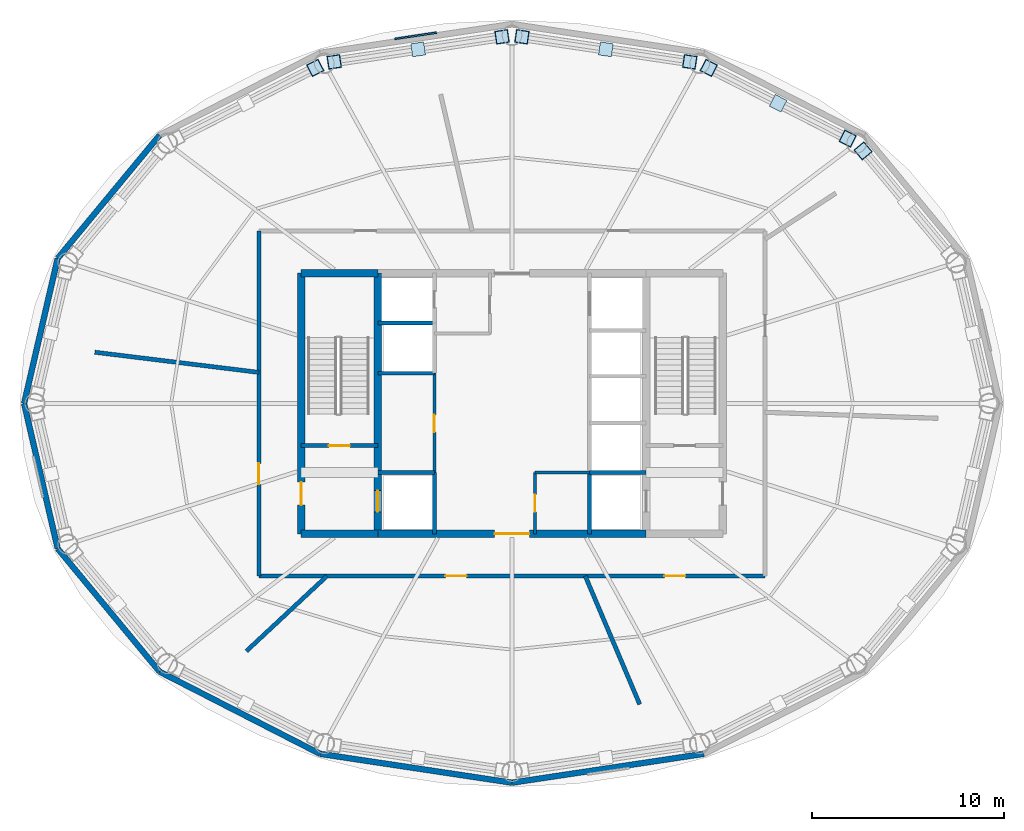
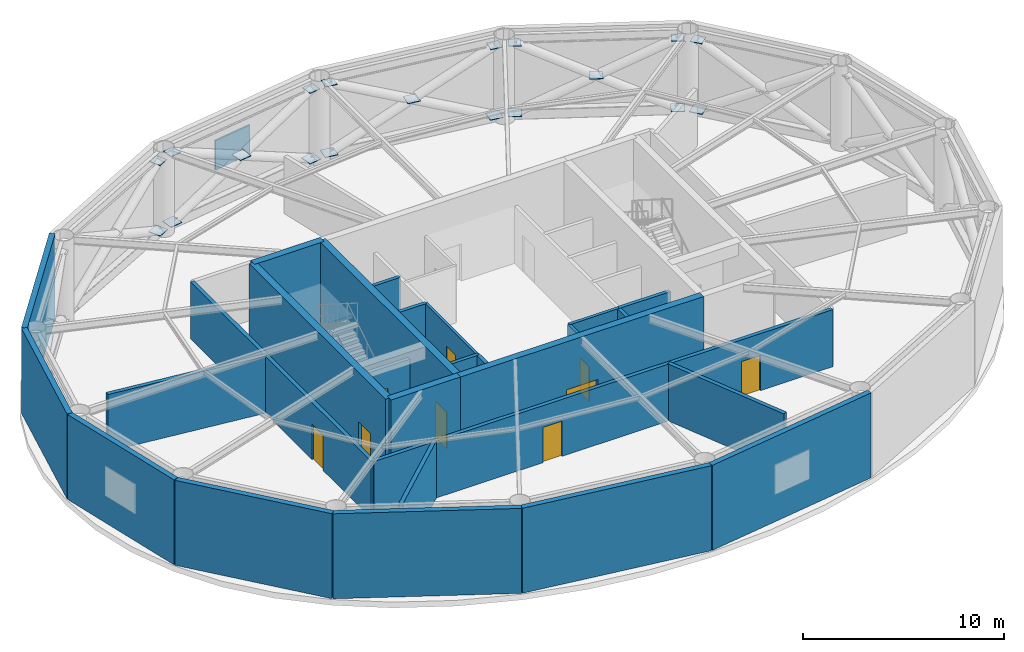
# One storey, part 4 of 7: 27 walls, 20 plates, 9 doors, 9 openings.
"""IFC4 building model written with IfcOpenShell, lengths in metres."""

from ifc_helpers import new_model, si_unit, direction, frame, frame_2d, origin, origin_2d, place, context, subcontext, project, spatial, rectangle, extrude, material, layer, layer_set, type_object, element, fill, save


model = new_model("IFC4")

# Units and contexts
model_context = context("Model", 3, precision=1e-05, world=origin(), true_north=direction((0.0, 1.0)))
body_context = subcontext(model_context, "Body", "Model", "MODEL_VIEW")
ifc_project = project(units=[si_unit("LENGTHUNIT", "METRE"), si_unit("AREAUNIT", "SQUARE_METRE"), si_unit("VOLUMEUNIT", "CUBIC_METRE"), si_unit("PLANEANGLEUNIT", "RADIAN"), si_unit("MASSUNIT", "GRAM", prefix="KILO")], contexts=[model_context])

# Site, building, storey
site_placement = place(None, origin())
site = spatial("IfcSite", under=ifc_project, at=site_placement, CompositionType="ELEMENT")
building_placement = place(site_placement, origin())
building = spatial("IfcBuilding", under=site, at=building_placement, Name="Sarneth Arch Tower", CompositionType="ELEMENT")
storey_placement = place(building_placement, frame((0.0, 0.0, 256.800048828125)))
storey = spatial("IfcBuildingStorey", under=building, at=storey_placement, Name="L66", CompositionType="ELEMENT", Elevation=256.800048828125)

# Plates
ifc_material_1 = material(Name="Powder-coated Aluminium 6063-T6 stormproof acoustic louvre", Category="aluminium")
ifc_layer_1 = layer(ifc_material_1, 0.094970703125)
ifc_layer_set_1 = layer_set([ifc_layer_1], Name="Powder-coated Aluminium 6063-T6 stormproof acoustic louvre")
plate_type_1 = type_object("IfcPlateType", Name="LOUVRE-PLANT", PredefinedType="SHEET", material=ifc_layer_set_1)
plate_1_placement = place(storey_placement, frame((42.971435546875, 61.175537109375, 1.68505859375), z_axis=(0.0, 0.0, 1.0), x_axis=(-0.988886498745, -0.148672433897, 0.0)))
element("IfcPlate", 1, at=plate_1_placement, inside=storey, type_object=plate_type_1, Name="L66 Mechanical louvre 05", PredefinedType="SHEET", context=body_context, shape_type="SweptSolid", body=[
    extrude(rectangle(XDim=2.199951171875, YDim=0.094970703125, at=origin_2d()), origin(), (0.0, 0.0, 1.0), 1.800048828125),
])
ifc_material_2 = material(Name="Steel S355", Category="steel")
ifc_layer_2 = layer(ifc_material_2, 0.035888671875)
ifc_layer_set_2 = layer_set([ifc_layer_2], Name="Steel S355")
plate_type_2 = type_object("IfcPlateType", Name="PLT-GUSSET-30", PredefinedType="SHEET", material=ifc_layer_set_2)
plate_2_placement = place(storey_placement, frame((66.3115234375, 55.17333984375, 0.33203125), z_axis=(0.0, 0.0, 1.0), x_axis=(-0.640377842023, 0.768060036355, 0.0)))
element("IfcPlate", 2, at=plate_2_placement, inside=storey, type_object=plate_type_2, Name="Steel end cap plate GP-1", PredefinedType="SHEET", context=body_context, shape_type="SweptSolid", body=[
    extrude(rectangle(XDim=0.699951171875, YDim=0.699951171875, at=origin_2d()), origin(), (0.0, 0.0, 1.0), 0.035888671875),
])
plate_3_placement = place(storey_placement, frame((66.3115234375, 55.17333984375, 4.5927734375), z_axis=(0.0, 0.0, 1.0), x_axis=(-0.640377842023, 0.768060036355, 0.0)))
element("IfcPlate", 3, at=plate_3_placement, inside=storey, type_object=plate_type_2, Name="Steel end cap plate GP-1", PredefinedType="SHEET", context=body_context, shape_type="SweptSolid", body=[
    extrude(rectangle(XDim=0.6298828125, YDim=0.6298828125, at=origin_2d()), origin(), (0.0, 0.0, 1.0), 0.035888671875),
])
plate_4_placement = place(storey_placement, frame((61.883056640625, 57.657470703125, 2.46240234375), z_axis=(0.0, 0.0, 1.0), x_axis=(-0.891402366318, 0.453212777096, 0.0)))
element("IfcPlate", 4, at=plate_4_placement, inside=storey, type_object=plate_type_2, Name="Steel end cap plate GP-1", PredefinedType="SHEET", context=body_context, shape_type="SweptSolid", body=[
    extrude(rectangle(XDim=0.679931640625, YDim=0.679931640625, at=origin_2d()), origin(), (0.0, 0.0, 1.0), 0.035888671875),
])
for number, where, z_axis, x_axis, name in (
    (5, (65.50732421875, 55.814453125, 0.33203125), (0.0, 0.0, 1.0), (0.891402366318, -0.453212777096, 0.0), "Steel end cap plate GP-1"),
    (6, (58.2587890625, 59.50048828125, 0.33203125), (0.0, 0.0, 1.0), (-0.891402366318, 0.453212777096, 0.0), "Steel end cap plate GP-1"),
):
    element("IfcPlate", number, at=place(storey_placement, frame(where, z_axis=z_axis, x_axis=x_axis)), inside=storey, type_object=plate_type_2, Name=name, PredefinedType="SHEET", context=body_context, shape_type="SweptSolid", body=[
        extrude(rectangle(XDim=0.699951171875, YDim=0.699951171875, at=origin_2d()), origin(), (0.0, 0.0, 1.0), 0.035888671875),
    ])
for number, where, z_axis, x_axis, name in (
    (7, (65.50732421875, 55.814453125, 4.5927734375), (0.0, 0.0, 1.0), (0.891402366318, -0.453212777096, 0.0), "Steel end cap plate GP-1"),
    (8, (58.2587890625, 59.50048828125, 4.5927734375), (0.0, 0.0, 1.0), (-0.891402366318, 0.453212777096, 0.0), "Steel end cap plate GP-1"),
):
    element("IfcPlate", number, at=place(storey_placement, frame(where, z_axis=z_axis, x_axis=x_axis)), inside=storey, type_object=plate_type_2, Name=name, PredefinedType="SHEET", context=body_context, shape_type="SweptSolid", body=[
        extrude(rectangle(XDim=0.6298828125, YDim=0.6298828125, at=origin_2d()), origin(), (0.0, 0.0, 1.0), 0.035888671875),
    ])
plate_5_placement = place(storey_placement, frame((52.8955078125, 60.46923828125, 2.46240234375), z_axis=(0.0, 0.0, 1.0), x_axis=(-0.989041645907, 0.147636793048, 0.0)))
element("IfcPlate", 9, at=plate_5_placement, inside=storey, type_object=plate_type_2, Name="Steel end cap plate GP-1", PredefinedType="SHEET", context=body_context, shape_type="SweptSolid", body=[
    extrude(rectangle(XDim=0.679931640625, YDim=0.679931640625, at=origin_2d()), origin(), (0.0, 0.0, 1.0), 0.035888671875),
])
for number, where, z_axis, x_axis, name in (
    (10, (57.271484375, 59.81591796875, 0.33203125), (0.0, 0.0, 1.0), (0.989041645907, -0.147636793048, 0.0), "Steel end cap plate GP-1"),
    (11, (48.519287109375, 61.12255859375, 0.33203125), (0.0, 0.0, 1.0), (-0.989041645907, 0.147636793048, 0.0), "Steel end cap plate GP-1"),
):
    element("IfcPlate", number, at=place(storey_placement, frame(where, z_axis=z_axis, x_axis=x_axis)), inside=storey, type_object=plate_type_2, Name=name, PredefinedType="SHEET", context=body_context, shape_type="SweptSolid", body=[
        extrude(rectangle(XDim=0.699951171875, YDim=0.699951171875, at=origin_2d()), origin(), (0.0, 0.0, 1.0), 0.035888671875),
    ])
for number, where, z_axis, x_axis, name in (
    (12, (57.271484375, 59.81591796875, 4.5927734375), (0.0, 0.0, 1.0), (0.989041645907, -0.147636793048, 0.0), "Steel end cap plate GP-1"),
    (13, (48.519287109375, 61.12255859375, 4.5927734375), (0.0, 0.0, 1.0), (-0.989041645907, 0.147636793048, 0.0), "Steel end cap plate GP-1"),
):
    element("IfcPlate", number, at=place(storey_placement, frame(where, z_axis=z_axis, x_axis=x_axis)), inside=storey, type_object=plate_type_2, Name=name, PredefinedType="SHEET", context=body_context, shape_type="SweptSolid", body=[
        extrude(rectangle(XDim=0.6298828125, YDim=0.6298828125, at=origin_2d()), origin(), (0.0, 0.0, 1.0), 0.035888671875),
    ])
plate_6_placement = place(storey_placement, frame((43.1044921875, 60.46923828125, 2.46240234375), z_axis=(0.0, 0.0, 1.0), x_axis=(-0.989041645907, -0.147636793048, 0.0)))
element("IfcPlate", 14, at=plate_6_placement, inside=storey, type_object=plate_type_2, Name="Steel end cap plate GP-1", PredefinedType="SHEET", context=body_context, shape_type="SweptSolid", body=[
    extrude(rectangle(XDim=0.679931640625, YDim=0.679931640625, at=origin_2d()), origin(), (0.0, 0.0, 1.0), 0.035888671875),
])
for number, where, z_axis, x_axis, name in (
    (15, (47.480712890625, 61.12255859375, 0.33203125), (0.0, 0.0, 1.0), (0.989041645907, 0.147636793048, 0.0), "Steel end cap plate GP-1"),
    (16, (38.728515625, 59.81591796875, 0.33203125), (0.0, 0.0, 1.0), (-0.989041645907, -0.147636793048, 0.0), "Steel end cap plate GP-1"),
):
    element("IfcPlate", number, at=place(storey_placement, frame(where, z_axis=z_axis, x_axis=x_axis)), inside=storey, type_object=plate_type_2, Name=name, PredefinedType="SHEET", context=body_context, shape_type="SweptSolid", body=[
        extrude(rectangle(XDim=0.699951171875, YDim=0.699951171875, at=origin_2d()), origin(), (0.0, 0.0, 1.0), 0.035888671875),
    ])
for number, where, z_axis, x_axis, name in (
    (17, (47.480712890625, 61.12255859375, 4.5927734375), (0.0, 0.0, 1.0), (0.989041645907, 0.147636793048, 0.0), "Steel end cap plate GP-1"),
    (18, (38.728515625, 59.81591796875, 4.5927734375), (0.0, 0.0, 1.0), (-0.989041645907, -0.147636793048, 0.0), "Steel end cap plate GP-1"),
):
    element("IfcPlate", number, at=place(storey_placement, frame(where, z_axis=z_axis, x_axis=x_axis)), inside=storey, type_object=plate_type_2, Name=name, PredefinedType="SHEET", context=body_context, shape_type="SweptSolid", body=[
        extrude(rectangle(XDim=0.6298828125, YDim=0.6298828125, at=origin_2d()), origin(), (0.0, 0.0, 1.0), 0.035888671875),
    ])
plate_7_placement = place(storey_placement, frame((37.7412109375, 59.50048828125, 0.33203125), z_axis=(0.0, 0.0, 1.0), x_axis=(0.891402366318, 0.453212777096, 0.0)))
element("IfcPlate", 19, at=plate_7_placement, inside=storey, type_object=plate_type_2, Name="Steel end cap plate GP-1", PredefinedType="SHEET", context=body_context, shape_type="SweptSolid", body=[
    extrude(rectangle(XDim=0.699951171875, YDim=0.699951171875, at=origin_2d()), origin(), (0.0, 0.0, 1.0), 0.035888671875),
])
plate_8_placement = place(storey_placement, frame((37.7412109375, 59.50048828125, 4.5927734375), z_axis=(0.0, 0.0, 1.0), x_axis=(0.891402366318, 0.453212777096, 0.0)))
element("IfcPlate", 20, at=plate_8_placement, inside=storey, type_object=plate_type_2, Name="Steel end cap plate GP-1", PredefinedType="SHEET", context=body_context, shape_type="SweptSolid", body=[
    extrude(rectangle(XDim=0.6298828125, YDim=0.6298828125, at=origin_2d()), origin(), (0.0, 0.0, 1.0), 0.035888671875),
])

# Wall
ifc_material_3 = material(Name="Concrete C50/60", Category="concrete")
ifc_layer_3 = layer(ifc_material_3, 0.39990234375)
ifc_layer_set_3 = layer_set([ifc_layer_3], Name="Concrete C50/60")
wall_type_1 = type_object("IfcWallType", Name="WALL-CORE-400", PredefinedType="SHEAR", material=ifc_layer_set_3)
wall_1_placement = place(storey_placement, frame((37.0, 35.199951171875, 0.0), z_axis=(0.0, 0.0, 1.0), x_axis=(1.0, 0.0, 0.0)))
element("IfcWall", 21, at=wall_1_placement, inside=storey, type_object=wall_type_1, Name="L66 Core shear wall S-W", PredefinedType="SHEAR", context=body_context, shape_type="SweptSolid", body=[
    extrude(rectangle(XDim=4.0, YDim=0.39990234375, at=frame_2d((2.0, 0.0))), origin(), (0.0, 0.0, 1.0), 5.169921875),
])

# Wall, opening, door
wall_2_placement = place(storey_placement, frame((41.0, 35.199951171875, 0.0), z_axis=(0.0, 0.0, 1.0), x_axis=(1.0, 0.0, 0.0)))
wall_2 = element("IfcWall", 22, at=wall_2_placement, inside=storey, type_object=wall_type_1, Name="L66 Core shear wall S-M", PredefinedType="SHEAR", context=body_context, shape_type="SweptSolid", body=[
    extrude(rectangle(XDim=14.0, YDim=0.39990234375, at=frame_2d((7.0, 0.0))), origin(), (0.0, 0.0, 1.0), 5.169921875),
])
opening_1_placement = place(wall_2_placement, frame((6.10009765625, 0.0, 0.0)))
opening_1 = element("IfcOpeningElement", 23, at=opening_1_placement, cuts=wall_2, Name="Opening FD-01", PredefinedType="OPENING", context=body_context, shape_type="SweptSolid", body=[
    extrude(rectangle(XDim=1.800048828125, YDim=2.25, at=frame_2d((0.89990234375, 1.125))), frame((0.0, 0.2099609375, 0.0), z_axis=(0.0, -1.0, 0.0), x_axis=(1.0, 0.0, 0.0)), (0.0, 0.0, 1.0), 0.419921875),
])
ifc_material_4 = material(Name="Galvanised Steel S275 fire door set", Category="steel")
door_type_1 = type_object("IfcDoorType", Name="DR-FD90-1800", OperationType="DOUBLE_DOOR_SINGLE_SWING", PredefinedType="DOOR", material=ifc_material_4)
door_1_placement = place(opening_1_placement, origin())
door_1 = element("IfcDoor", 24, at=door_1_placement, inside=storey, type_object=door_type_1, Name="L66 Central lift lobby south door", OperationType="DOUBLE_DOOR_SINGLE_SWING", OverallHeight=2.25, OverallWidth=1.800048828125, PredefinedType="DOOR", context=body_context, shape_type="SweptSolid", body=[
    extrude(rectangle(XDim=1.800048828125, YDim=2.25, at=frame_2d((0.89990234375, 1.125))), frame((0.0, 0.02490234375, 0.0), z_axis=(0.0, -1.0, 0.0), x_axis=(1.0, 0.0, 0.0)), (0.0, 0.0, 1.0), 0.050048828125),
])
fill(opening_1, door_1)

# Wall
wall_3_placement = place(storey_placement, frame((37.0, 48.800048828125, 0.0), z_axis=(0.0, 0.0, 1.0), x_axis=(1.0, 0.0, 0.0)))
element("IfcWall", 25, at=wall_3_placement, inside=storey, type_object=wall_type_1, Name="L66 Core shear wall N-W", PredefinedType="SHEAR", context=body_context, shape_type="SweptSolid", body=[
    extrude(rectangle(XDim=4.0, YDim=0.39990234375, at=frame_2d((2.0, 0.0))), origin(), (0.0, 0.0, 1.0), 5.169921875),
])

# Wall, opening, door
wall_4_placement = place(storey_placement, frame((37.0, 35.199951171875, 0.0), z_axis=(0.0, 0.0, 1.0), x_axis=(0.0, 1.0, 0.0)))
wall_4 = element("IfcWall", 26, at=wall_4_placement, inside=storey, type_object=wall_type_1, Name="L66 Core shear wall W", PredefinedType="SHEAR", context=body_context, shape_type="SweptSolid", body=[
    extrude(rectangle(XDim=13.60009765625, YDim=0.39990234375, at=frame_2d((6.800048828125, 0.0))), origin(), (0.0, 0.0, 1.0), 5.169921875),
])
opening_2_placement = place(wall_4_placement, frame((1.5, 0.0, 0.0)))
opening_2 = element("IfcOpeningElement", 27, at=opening_2_placement, cuts=wall_4, Name="Opening FD-02", PredefinedType="OPENING", context=body_context, shape_type="SweptSolid", body=[
    extrude(rectangle(XDim=1.199951171875, YDim=2.14990234375, at=frame_2d((0.60009765625, 1.074951171875))), frame((0.0, 0.2099609375, 0.0), z_axis=(0.0, -1.0, 0.0), x_axis=(1.0, 0.0, 0.0)), (0.0, 0.0, 1.0), 0.419921875),
])
ifc_material_5 = material(Name="Galvanised Steel S275 fire door set", Category="steel")
door_type_2 = type_object("IfcDoorType", Name="DR-FD90-1200", OperationType="SINGLE_SWING_LEFT", PredefinedType="DOOR", material=ifc_material_5)
door_2_placement = place(opening_2_placement, origin())
door_2 = element("IfcDoor", 28, at=door_2_placement, inside=storey, type_object=door_type_2, Name="L66 Firefighting lobby 1 exit door", OperationType="SINGLE_SWING_LEFT", OverallHeight=2.14990234375, OverallWidth=1.199951171875, PredefinedType="DOOR", context=body_context, shape_type="SweptSolid", body=[
    extrude(rectangle(XDim=1.199951171875, YDim=2.14990234375, at=frame_2d((0.60009765625, 1.074951171875))), frame((0.0, 0.02490234375, 0.0), z_axis=(0.0, -1.0, 0.0), x_axis=(1.0, 0.0, 0.0)), (0.0, 0.0, 1.0), 0.050048828125),
])
fill(opening_2, door_2)

wall_5_placement = place(storey_placement, frame((41.0, 35.199951171875, 0.0), z_axis=(0.0, 0.0, 1.0), x_axis=(0.0, 1.0, 0.0)))
wall_5 = element("IfcWall", 29, at=wall_5_placement, inside=storey, type_object=wall_type_1, Name="L66 Core shear wall WEB-W", PredefinedType="SHEAR", context=body_context, shape_type="SweptSolid", body=[
    extrude(rectangle(XDim=13.60009765625, YDim=0.39990234375, at=frame_2d((6.800048828125, 0.0))), origin(), (0.0, 0.0, 1.0), 5.169921875),
])
opening_3_placement = place(wall_5_placement, frame((1.14990234375, 0.0, 0.0)))
opening_3 = element("IfcOpeningElement", 30, at=opening_3_placement, cuts=wall_5, Name="Opening LD-1", PredefinedType="OPENING", context=body_context, shape_type="SweptSolid", body=[
    extrude(rectangle(XDim=1.10009765625, YDim=2.199951171875, at=frame_2d((0.550048828125, 1.10009765625))), frame((0.0, 0.2099609375, 0.0), z_axis=(0.0, -1.0, 0.0), x_axis=(1.0, 0.0, 0.0)), (0.0, 0.0, 1.0), 0.419921875),
])
ifc_material_6 = material(Name="Brushed Stainless Steel 304 lift landing door", Category="steel")
door_type_3 = type_object("IfcDoorType", Name="DR-LIFT-SLIDE-1100", OperationType="SLIDING_TO_LEFT", PredefinedType="DOOR", material=ifc_material_6)
door_3_placement = place(opening_3_placement, origin())
door_3 = element("IfcDoor", 31, at=door_3_placement, inside=storey, type_object=door_type_3, Name="L66 Firefighting lift landing door FL-1", OperationType="SLIDING_TO_LEFT", OverallHeight=2.199951171875, OverallWidth=1.10009765625, PredefinedType="DOOR", context=body_context, shape_type="SweptSolid", body=[
    extrude(rectangle(XDim=1.10009765625, YDim=2.199951171875, at=frame_2d((0.550048828125, 1.10009765625))), frame((0.0, 0.02490234375, 0.0), z_axis=(0.0, -1.0, 0.0), x_axis=(1.0, 0.0, 0.0)), (0.0, 0.0, 1.0), 0.050048828125),
])
fill(opening_3, door_3)

# Walls
ifc_material_7 = material(Name="Extruded terracotta rainscreen on Concrete C40/50 backing", Category="masonry")
ifc_layer_4 = layer(ifc_material_7, 0.300048828125)
ifc_layer_set_4 = layer_set([ifc_layer_4], Name="Extruded terracotta rainscreen on Concrete C40/50 backing")
wall_type_2 = type_object("IfcWallType", Name="WALL-EXT-ACOUST-300", PredefinedType="SOLIDWALL", material=ifc_layer_set_4)
wall_6_placement = place(storey_placement, frame((29.617431640625, 55.986572265625, 0.0), z_axis=(0.0, 0.0, 1.0), x_axis=(-0.63761509934, -0.770355103243, 0.0)))
element("IfcWall", 32, at=wall_6_placement, inside=storey, type_object=wall_type_2, Name="L66 Terracotta perimeter wall 07", PredefinedType="SOLIDWALL", context=body_context, shape_type="SweptSolid", body=[
    extrude(rectangle(XDim=8.329833984375, YDim=0.300048828125, at=frame_2d((4.1650390625, 0.0))), origin(), (0.0, 0.0, 1.0), 5.169921875),
])
for number, where, z_axis, x_axis, name in (
    (33, (24.30615234375, 49.569580078125, 0.0), (0.0, 0.0, 1.0), (-0.225635078214, -0.974211892495, 0.0), "L66 Terracotta perimeter wall 08"),
    (34, (22.552978515625, 42.0, 0.0), (0.0, 0.0, 1.0), (0.225635078214, -0.974211892495, 0.0), "L66 Terracotta perimeter wall 09"),
):
    element("IfcWall", number, at=place(storey_placement, frame(where, z_axis=z_axis, x_axis=x_axis)), inside=storey, type_object=wall_type_2, Name=name, PredefinedType="SOLIDWALL", context=body_context, shape_type="SweptSolid", body=[
        extrude(rectangle(XDim=7.77001953125, YDim=0.300048828125, at=frame_2d((3.885009765625, 0.0))), origin(), (0.0, 0.0, 1.0), 5.169921875),
    ])
wall_7_placement = place(storey_placement, frame((24.30615234375, 34.430419921875, 0.0), z_axis=(0.0, 0.0, 1.0), x_axis=(0.63761509934, -0.770355103243, 0.0)))
element("IfcWall", 35, at=wall_7_placement, inside=storey, type_object=wall_type_2, Name="L66 Terracotta perimeter wall 10", PredefinedType="SOLIDWALL", context=body_context, shape_type="SweptSolid", body=[
    extrude(rectangle(XDim=8.329833984375, YDim=0.300048828125, at=frame_2d((4.1650390625, 0.0))), origin(), (0.0, 0.0, 1.0), 5.169921875),
])
wall_8_placement = place(storey_placement, frame((29.617431640625, 28.013427734375, 0.0), z_axis=(0.0, 0.0, 1.0), x_axis=(0.890007394051, -0.455946091699, 0.0)))
element("IfcWall", 36, at=wall_8_placement, inside=storey, type_object=wall_type_2, Name="L66 Terracotta perimeter wall 11", PredefinedType="SOLIDWALL", context=body_context, shape_type="SweptSolid", body=[
    extrude(rectangle(XDim=9.404296875, YDim=0.300048828125, at=frame_2d((4.7021484375, 0.0))), origin(), (0.0, 0.0, 1.0), 5.169921875),
])
for number, where, z_axis, x_axis, name in (
    (37, (37.9873046875, 23.7255859375, 0.0), (0.0, 0.0, 1.0), (0.988882522213, -0.148698881169, 0.0), "L66 Terracotta perimeter wall 12"),
    (38, (48.0, 22.219970703125, 0.0), (0.0, 0.0, 1.0), (0.988882522213, 0.148698881169, 0.0), "L66 Terracotta perimeter wall 13"),
):
    element("IfcWall", number, at=place(storey_placement, frame(where, z_axis=z_axis, x_axis=x_axis)), inside=storey, type_object=wall_type_2, Name=name, PredefinedType="SOLIDWALL", context=body_context, shape_type="SweptSolid", body=[
        extrude(rectangle(XDim=10.125244140625, YDim=0.300048828125, at=frame_2d((5.0625, 0.0))), origin(), (0.0, 0.0, 1.0), 5.169921875),
    ])

# Wall, openings, doors
ifc_material_8 = material(Name="Aerated concrete blockwork C25/30", Category="masonry")
ifc_layer_5 = layer(ifc_material_8, 0.219970703125)
ifc_layer_set_5 = layer_set([ifc_layer_5], Name="Aerated concrete blockwork C25/30")
wall_type_3 = type_object("IfcWallType", Name="WALL-FIRE-220", PredefinedType="SOLIDWALL", material=ifc_layer_set_5)
wall_9_placement = place(storey_placement, frame((61.199951171875, 33.0, 0.0), z_axis=(0.0, 0.0, 1.0), x_axis=(-1.0, 0.0, 0.0)))
wall_9 = element("IfcWall", 39, at=wall_9_placement, inside=storey, type_object=wall_type_3, Name="L66 Interior partition W-L66-TP-007", PredefinedType="SOLIDWALL", context=body_context, shape_type="SweptSolid", body=[
    extrude(rectangle(XDim=26.39990234375, YDim=0.219970703125, at=frame_2d((13.199951171875, 0.0))), origin(), (0.0, 0.0, 1.0), 3.469970703125),
])
opening_4_placement = place(wall_9_placement, frame((15.571533203125, 0.0, 0.0)))
opening_4 = element("IfcOpeningElement", 40, at=opening_4_placement, cuts=wall_9, Name="Opening FD-03", PredefinedType="OPENING", context=body_context, shape_type="SweptSolid", body=[
    extrude(rectangle(XDim=1.10009765625, YDim=2.14990234375, at=frame_2d((0.550048828125, 1.074951171875))), frame((0.0, 0.119873046875, 0.0), z_axis=(0.0, -1.0, 0.0), x_axis=(1.0, 0.0, 0.0)), (0.0, 0.0, 1.0), 0.239990234375),
])
opening_5_placement = place(wall_9_placement, frame((4.1572265625, 0.0, 0.0)))
opening_5 = element("IfcOpeningElement", 41, at=opening_5_placement, cuts=wall_9, Name="Opening FD-03", PredefinedType="OPENING", context=body_context, shape_type="SweptSolid", body=[
    extrude(rectangle(XDim=1.10009765625, YDim=2.14990234375, at=frame_2d((0.550048828125, 1.074951171875))), frame((0.0, 0.119873046875, 0.0), z_axis=(0.0, -1.0, 0.0), x_axis=(1.0, 0.0, 0.0)), (0.0, 0.0, 1.0), 0.239990234375),
])
ifc_material_9 = material(Name="Galvanised Steel S275 fire door set", Category="steel")
door_type_4 = type_object("IfcDoorType", Name="DR-FD90-1100", OperationType="SINGLE_SWING_LEFT", PredefinedType="DOOR", material=ifc_material_9)
door_4_placement = place(opening_4_placement, origin())
door_4 = element("IfcDoor", 42, at=door_4_placement, inside=storey, type_object=door_type_4, Name="L66 Interior door DR-L66-PSEC-4", OperationType="SINGLE_SWING_LEFT", OverallHeight=2.14990234375, OverallWidth=1.10009765625, PredefinedType="DOOR", context=body_context, shape_type="SweptSolid", body=[
    extrude(rectangle(XDim=1.10009765625, YDim=2.14990234375, at=frame_2d((0.550048828125, 1.074951171875))), frame((0.0, 0.02490234375, 0.0), z_axis=(0.0, -1.0, 0.0), x_axis=(1.0, 0.0, 0.0)), (0.0, 0.0, 1.0), 0.050048828125),
])
fill(opening_4, door_4)
door_5_placement = place(opening_5_placement, origin())
door_5 = element("IfcDoor", 43, at=door_5_placement, inside=storey, type_object=door_type_4, Name="L66 Interior door DR-L66-PSEC-5", OperationType="SINGLE_SWING_RIGHT", OverallHeight=2.14990234375, OverallWidth=1.10009765625, PredefinedType="DOOR", context=body_context, shape_type="SweptSolid", body=[
    extrude(rectangle(XDim=1.10009765625, YDim=2.14990234375, at=frame_2d((0.550048828125, 1.074951171875))), frame((0.0, 0.02490234375, 0.0), z_axis=(0.0, -1.0, 0.0), x_axis=(1.0, 0.0, 0.0)), (0.0, 0.0, 1.0), 0.050048828125),
])
fill(opening_5, door_5)

# Wall, opening, door
wall_10_placement = place(storey_placement, frame((34.800048828125, 33.0, 0.0), z_axis=(0.0, 0.0, 1.0), x_axis=(0.0, 1.0, 0.0)))
wall_10 = element("IfcWall", 44, at=wall_10_placement, inside=storey, type_object=wall_type_3, Name="L66 Interior partition W-L66-TP-006", PredefinedType="SOLIDWALL", context=body_context, shape_type="SweptSolid", body=[
    extrude(rectangle(XDim=18.0, YDim=0.219970703125, at=frame_2d((9.0, 0.0))), origin(), (0.0, 0.0, 1.0), 3.469970703125),
])
opening_6_placement = place(wall_10_placement, frame((4.776611328125, 0.0, 0.0)))
opening_6 = element("IfcOpeningElement", 45, at=opening_6_placement, cuts=wall_10, Name="Opening FD-03", PredefinedType="OPENING", context=body_context, shape_type="SweptSolid", body=[
    extrude(rectangle(XDim=1.10009765625, YDim=2.14990234375, at=frame_2d((0.550048828125, 1.074951171875))), frame((0.0, 0.119873046875, 0.0), z_axis=(0.0, -1.0, 0.0), x_axis=(1.0, 0.0, 0.0)), (0.0, 0.0, 1.0), 0.239990234375),
])
door_6_placement = place(opening_6_placement, origin())
door_6 = element("IfcDoor", 46, at=door_6_placement, inside=storey, type_object=door_type_4, Name="L66 Interior door DR-L66-PSEC-3", OperationType="SINGLE_SWING_LEFT", OverallHeight=2.14990234375, OverallWidth=1.10009765625, PredefinedType="DOOR", context=body_context, shape_type="SweptSolid", body=[
    extrude(rectangle(XDim=1.10009765625, YDim=2.14990234375, at=frame_2d((0.550048828125, 1.074951171875))), frame((0.0, 0.02490234375, 0.0), z_axis=(0.0, -1.0, 0.0), x_axis=(1.0, 0.0, 0.0)), (0.0, 0.0, 1.0), 0.050048828125),
])
fill(opening_6, door_6)

# Walls
wall_11_placement = place(storey_placement, frame((26.24267578125, 44.67138671875, 0.0), z_axis=(0.0, 0.0, 1.0), x_axis=(0.992548623273, -0.12184921189, 0.0)))
element("IfcWall", 47, at=wall_11_placement, inside=storey, type_object=wall_type_3, Name="L66 Interior partition W-L66-TP-013", PredefinedType="SOLIDWALL", context=body_context, shape_type="SweptSolid", body=[
    extrude(rectangle(XDim=8.62158203125, YDim=0.219970703125, at=frame_2d((4.310791015625, 0.0))), origin(), (0.0, 0.0, 1.0), 3.469970703125),
])
wall_12_placement = place(storey_placement, frame((54.660888671875, 26.3076171875, 0.0), z_axis=(0.0, 0.0, 1.0), x_axis=(-0.390711106483, 0.920513352033, 0.0)))
element("IfcWall", 48, at=wall_12_placement, inside=storey, type_object=wall_type_3, Name="L66 Interior partition W-L66-TP-015", PredefinedType="SOLIDWALL", context=body_context, shape_type="SweptSolid", body=[
    extrude(rectangle(XDim=7.270263671875, YDim=0.219970703125, at=frame_2d((3.63525390625, 0.0))), origin(), (0.0, 0.0, 1.0), 3.469970703125),
])
wall_13_placement = place(storey_placement, frame((34.14892578125, 29.083740234375, 0.0), z_axis=(0.0, 0.0, 1.0), x_axis=(0.731356342023, 0.681995528566, 0.0)))
element("IfcWall", 49, at=wall_13_placement, inside=storey, type_object=wall_type_3, Name="L66 Interior partition W-L66-TP-014", PredefinedType="SOLIDWALL", context=body_context, shape_type="SweptSolid", body=[
    extrude(rectangle(XDim=5.742431640625, YDim=0.219970703125, at=frame_2d((2.87109375, 0.0))), origin(), (0.0, 0.0, 1.0), 3.469970703125),
])

# Wall, opening, door
ifc_material_10 = material(Name="Acoustic gypsum stud partition", Category="gypsum")
ifc_layer_6 = layer(ifc_material_10, 0.14990234375)
ifc_layer_set_6 = layer_set([ifc_layer_6], Name="Acoustic gypsum stud partition")
wall_type_4 = type_object("IfcWallType", Name="WALL-PART-150", PredefinedType="PARTITIONING", material=ifc_layer_set_6)
wall_14_placement = place(storey_placement, frame((43.949951171875, 38.39990234375, 0.0), z_axis=(0.0, 0.0, 1.0), x_axis=(0.0, 1.0, 0.0)))
wall_14 = element("IfcWall", 50, at=wall_14_placement, inside=storey, type_object=wall_type_4, Name="L66 Interior partition W-L66-RECPL-E", PredefinedType="PARTITIONING", context=body_context, shape_type="SweptSolid", body=[
    extrude(rectangle(XDim=5.18017578125, YDim=0.14990234375, at=frame_2d((2.590087890625, 0.0))), origin(), (0.0, 0.0, 1.0), 3.469970703125),
])
opening_7_placement = place(wall_14_placement, frame((2.10009765625, 0.0, 0.0)))
opening_7 = element("IfcOpeningElement", 51, at=opening_7_placement, cuts=wall_14, Name="Opening FD-10", PredefinedType="OPENING", context=body_context, shape_type="SweptSolid", body=[
    extrude(rectangle(XDim=0.89990234375, YDim=2.14990234375, at=frame_2d((0.449951171875, 1.074951171875))), frame((0.0, 0.0849609375, 0.0), z_axis=(0.0, -1.0, 0.0), x_axis=(1.0, 0.0, 0.0)), (0.0, 0.0, 1.0), 0.169921875),
])
ifc_material_11 = material(Name="Galvanised Steel S275 riser/service fire door", Category="steel")
door_type_5 = type_object("IfcDoorType", Name="DR-FD60-900", OperationType="SINGLE_SWING_LEFT", PredefinedType="DOOR", material=ifc_material_11)
door_7_placement = place(opening_7_placement, origin())
door_7 = element("IfcDoor", 52, at=door_7_placement, inside=storey, type_object=door_type_5, Name="L66 Interior door DR-L66-RECPL1", OperationType="SINGLE_SWING_LEFT", OverallHeight=2.14990234375, OverallWidth=0.89990234375, PredefinedType="DOOR", context=body_context, shape_type="SweptSolid", body=[
    extrude(rectangle(XDim=0.89990234375, YDim=2.14990234375, at=frame_2d((0.449951171875, 1.074951171875))), frame((0.0, 0.02490234375, 0.0), z_axis=(0.0, -1.0, 0.0), x_axis=(1.0, 0.0, 0.0)), (0.0, 0.0, 1.0), 0.050048828125),
])
fill(opening_7, door_7)

# Wall
ifc_material_12 = material(Name="Moisture-resistant plumbing chase wall", Category="gypsum")
ifc_layer_7 = layer(ifc_material_12, 0.179931640625)
ifc_layer_set_7 = layer_set([ifc_layer_7], Name="Moisture-resistant plumbing chase wall")
wall_type_5 = type_object("IfcWallType", Name="WALL-PLUMB-180", PredefinedType="PLUMBINGWALL", material=ifc_layer_set_7)
wall_15_placement = place(storey_placement, frame((49.199951171875, 38.39990234375, 0.0), z_axis=(0.0, 0.0, 1.0), x_axis=(1.0, 0.0, 0.0)))
element("IfcWall", 53, at=wall_15_placement, inside=storey, type_object=wall_type_5, Name="L66 Interior partition W-L66-AWC-N", PredefinedType="PLUMBINGWALL", context=body_context, shape_type="SweptSolid", body=[
    extrude(rectangle(XDim=2.85009765625, YDim=0.179931640625, at=frame_2d((1.425048828125, 0.0))), origin(), (0.0, 0.0, 1.0), 3.469970703125),
])

# Wall, opening, door
wall_16_placement = place(storey_placement, frame((49.199951171875, 35.199951171875, 0.0), z_axis=(0.0, 0.0, 1.0), x_axis=(0.0, 1.0, 0.0)))
wall_16 = element("IfcWall", 54, at=wall_16_placement, inside=storey, type_object=wall_type_5, Name="L66 Interior partition W-L66-AWC-W", PredefinedType="PLUMBINGWALL", context=body_context, shape_type="SweptSolid", body=[
    extrude(rectangle(XDim=3.199951171875, YDim=0.179931640625, at=frame_2d((1.60009765625, 0.0))), origin(), (0.0, 0.0, 1.0), 3.469970703125),
])
opening_8_placement = place(wall_16_placement, frame((1.14990234375, 0.0, 0.0)))
opening_8 = element("IfcOpeningElement", 55, at=opening_8_placement, cuts=wall_16, Name="Opening ID-01", PredefinedType="OPENING", context=body_context, shape_type="SweptSolid", body=[
    extrude(rectangle(XDim=0.89990234375, YDim=2.10009765625, at=frame_2d((0.449951171875, 1.050048828125))), frame((0.0, 0.099853515625, 0.0), z_axis=(0.0, -1.0, 0.0), x_axis=(1.0, 0.0, 0.0)), (0.0, 0.0, 1.0), 0.199951171875),
])
ifc_material_13 = material(Name="Engineered hardwood flush door", Category="wood")
door_type_6 = type_object("IfcDoorType", Name="DR-INT-900", OperationType="SINGLE_SWING_LEFT", PredefinedType="DOOR", material=ifc_material_13)
door_8_placement = place(opening_8_placement, origin())
door_8 = element("IfcDoor", 56, at=door_8_placement, inside=storey, type_object=door_type_6, Name="L66 Interior door DR-L66-AWC", OperationType="SINGLE_SWING_RIGHT", OverallHeight=2.10009765625, OverallWidth=0.89990234375, PredefinedType="DOOR", context=body_context, shape_type="SweptSolid", body=[
    extrude(rectangle(XDim=0.89990234375, YDim=2.10009765625, at=frame_2d((0.449951171875, 1.050048828125))), frame((0.0, 0.02490234375, 0.0), z_axis=(0.0, -1.0, 0.0), x_axis=(1.0, 0.0, 0.0)), (0.0, 0.0, 1.0), 0.050048828125),
])
fill(opening_8, door_8)

ifc_material_14 = material(Name="Aerated concrete blockwork C25/30", Category="masonry")
ifc_layer_8 = layer(ifc_material_14, 0.199951171875)
ifc_layer_set_8 = layer_set([ifc_layer_8], Name="Aerated concrete blockwork C25/30")
wall_type_6 = type_object("IfcWallType", Name="WALL-SHAFT-200", PredefinedType="SOLIDWALL", material=ifc_layer_set_8)
wall_17_placement = place(storey_placement, frame((37.0, 39.800048828125, 0.0), z_axis=(0.0, 0.0, 1.0), x_axis=(1.0, 0.0, 0.0)))
wall_17 = element("IfcWall", 57, at=wall_17_placement, inside=storey, type_object=wall_type_6, Name="L66 Interior partition W-L66-ST1-S", PredefinedType="SOLIDWALL", context=body_context, shape_type="SweptSolid", body=[
    extrude(rectangle(XDim=4.0, YDim=0.199951171875, at=frame_2d((2.0, 0.0))), origin(), (0.0, 0.0, 1.0), 3.469970703125),
])
opening_9_placement = place(wall_17_placement, frame((1.449951171875, 0.0, 0.0)))
opening_9 = element("IfcOpeningElement", 58, at=opening_9_placement, cuts=wall_17, Name="Opening FD-03", PredefinedType="OPENING", context=body_context, shape_type="SweptSolid", body=[
    extrude(rectangle(XDim=1.10009765625, YDim=2.14990234375, at=frame_2d((0.550048828125, 1.074951171875))), frame((0.0, 0.10986328125, 0.0), z_axis=(0.0, -1.0, 0.0), x_axis=(1.0, 0.0, 0.0)), (0.0, 0.0, 1.0), 0.219970703125),
])
door_9_placement = place(opening_9_placement, origin())
door_9 = element("IfcDoor", 59, at=door_9_placement, inside=storey, type_object=door_type_4, Name="L66 Interior door DR-L66-ST1", OperationType="SINGLE_SWING_LEFT", OverallHeight=2.14990234375, OverallWidth=1.10009765625, PredefinedType="DOOR", context=body_context, shape_type="SweptSolid", body=[
    extrude(rectangle(XDim=1.10009765625, YDim=2.14990234375, at=frame_2d((0.550048828125, 1.074951171875))), frame((0.0, 0.02490234375, 0.0), z_axis=(0.0, -1.0, 0.0), x_axis=(1.0, 0.0, 0.0)), (0.0, 0.0, 1.0), 0.050048828125),
])
fill(opening_9, door_9)

# Walls
wall_18_placement = place(storey_placement, frame((43.949951171875, 35.199951171875, 0.0), z_axis=(0.0, 0.0, 1.0), x_axis=(0.0, 1.0, 0.0)))
element("IfcWall", 60, at=wall_18_placement, inside=storey, type_object=wall_type_6, Name="L66 Interior partition W-L66-FL1-E", PredefinedType="SOLIDWALL", context=body_context, shape_type="SweptSolid", body=[
    extrude(rectangle(XDim=3.199951171875, YDim=0.199951171875, at=frame_2d((1.60009765625, 0.0))), origin(), (0.0, 0.0, 1.0), 3.469970703125),
])
wall_19_placement = place(storey_placement, frame((41.0, 38.39990234375, 0.0), z_axis=(0.0, 0.0, 1.0), x_axis=(1.0, 0.0, 0.0)))
element("IfcWall", 61, at=wall_19_placement, inside=storey, type_object=wall_type_6, Name="L66 Interior partition W-L66-FL1-N", PredefinedType="SOLIDWALL", context=body_context, shape_type="SweptSolid", body=[
    extrude(rectangle(XDim=2.949951171875, YDim=0.199951171875, at=frame_2d((1.47509765625, 0.0))), origin(), (0.0, 0.0, 1.0), 3.469970703125),
])
wall_20_placement = place(storey_placement, frame((52.050048828125, 35.199951171875, 0.0), z_axis=(0.0, 0.0, 1.0), x_axis=(0.0, 1.0, 0.0)))
element("IfcWall", 62, at=wall_20_placement, inside=storey, type_object=wall_type_6, Name="L66 Interior partition W-L66-FL2-W", PredefinedType="SOLIDWALL", context=body_context, shape_type="SweptSolid", body=[
    extrude(rectangle(XDim=3.199951171875, YDim=0.199951171875, at=frame_2d((1.60009765625, 0.0))), origin(), (0.0, 0.0, 1.0), 3.469970703125),
])
for number, where, z_axis, x_axis, name in (
    (63, (52.050048828125, 38.39990234375, 0.0), (0.0, 0.0, 1.0), (1.0, 0.0, 0.0), "L66 Interior partition W-L66-FL2-N"),
    (64, (41.0, 46.199951171875, 0.0), (0.0, 0.0, 1.0), (1.0, 0.0, 0.0), "L66 Interior partition W-L66-RISER-S"),
    (65, (41.0, 43.580078125, 0.0), (0.0, 0.0, 1.0), (1.0, 0.0, 0.0), "L66 Interior partition W-L66-PM1-S"),
):
    element("IfcWall", number, at=place(storey_placement, frame(where, z_axis=z_axis, x_axis=x_axis)), inside=storey, type_object=wall_type_6, Name=name, PredefinedType="SOLIDWALL", context=body_context, shape_type="SweptSolid", body=[
        extrude(rectangle(XDim=2.949951171875, YDim=0.199951171875, at=frame_2d((1.47509765625, 0.0))), origin(), (0.0, 0.0, 1.0), 3.469970703125),
    ])

save(model, "model.ifc")
